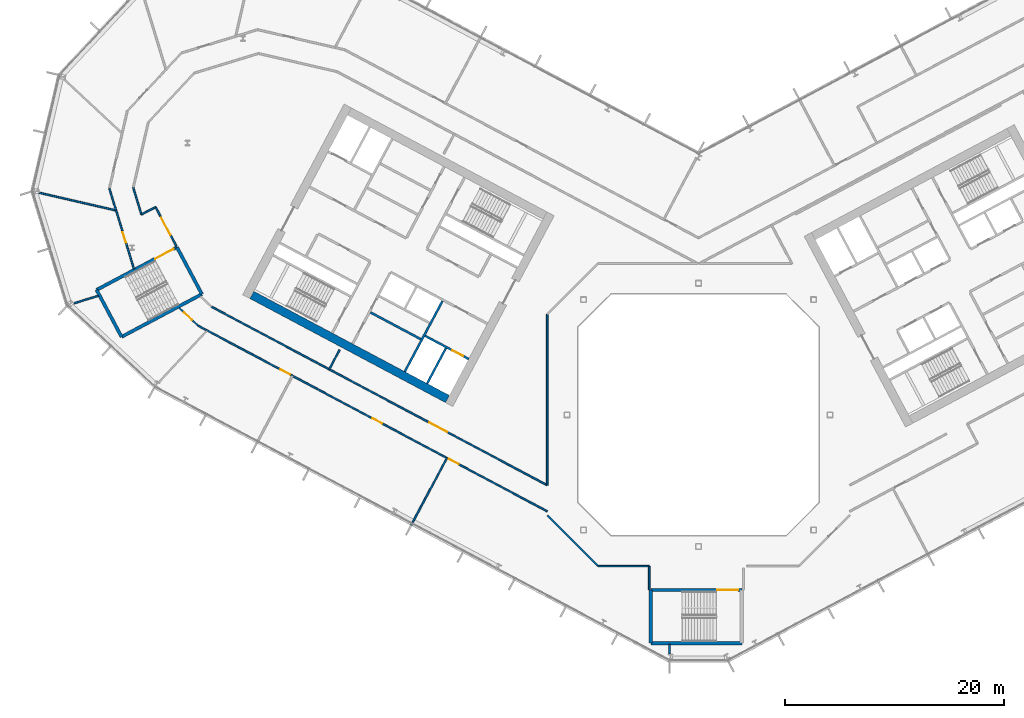
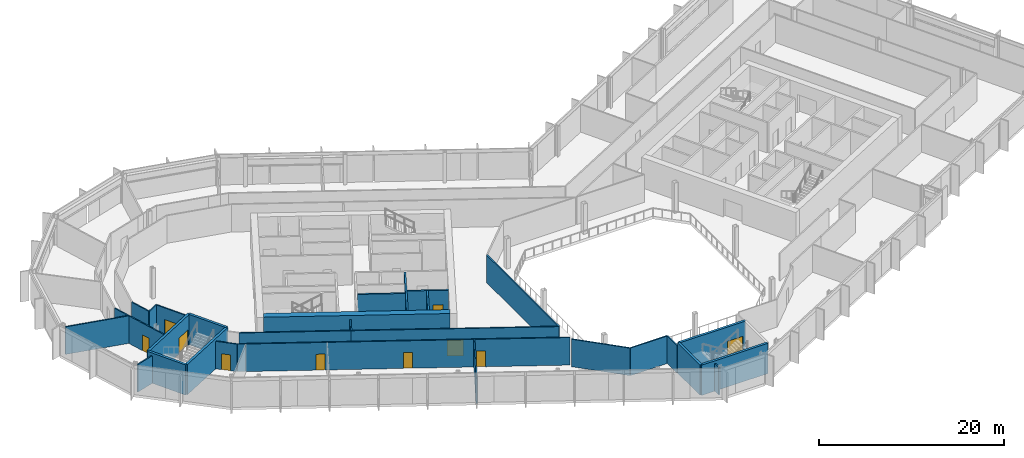
# One storey, part 13 of 28: 31 walls, 10 doors, 10 openings.
"""IFC4 building model written with IfcOpenShell, lengths in metres."""

from ifc_helpers import new_model, si_unit, direction, frame, frame_2d, origin, place, context, subcontext, project, spatial, rectangle, extrude, material, layer, layer_set, type_object, element, fill, save


model = new_model("IFC4")

# Units and contexts
model_context = context("Model", 3, precision=1e-05, world=origin(), true_north=direction((0.0, 1.0)))
body_context = subcontext(model_context, "Body", "Model", "MODEL_VIEW")
ifc_project = project(units=[si_unit("LENGTHUNIT", "METRE"), si_unit("AREAUNIT", "SQUARE_METRE"), si_unit("VOLUMEUNIT", "CUBIC_METRE"), si_unit("PLANEANGLEUNIT", "RADIAN"), si_unit("MASSUNIT", "GRAM", prefix="KILO")], contexts=[model_context])

# Site, building, storey
site_placement = place(None, origin())
site = spatial("IfcSite", under=ifc_project, at=site_placement, CompositionType="ELEMENT")
building_placement = place(site_placement, origin())
building = spatial("IfcBuilding", under=site, at=building_placement, Name="Cormorant Relay Tower", CompositionType="ELEMENT")
storey_placement = place(building_placement, frame((0.0, 0.0, 130.199951171875)))
storey = spatial("IfcBuildingStorey", under=building, at=storey_placement, Name="L26", CompositionType="ELEMENT", Elevation=130.199951171875)

# Walls
ifc_material_1 = material(Name="Concrete 40 MPa", Category="concrete")
ifc_layer_1 = layer(ifc_material_1, 0.199951171875)
ifc_layer_set_1 = layer_set([ifc_layer_1], Name="Core internal wall 200")
wall_type_1 = type_object("IfcWallType", Name="Core internal wall 200", PredefinedType="SOLIDWALL", material=ifc_layer_set_1)
wall_1_placement = place(storey_placement, frame((-25.326416015625, 6.8974609375, 0.0), z_axis=(0.0, 0.0, 1.0), x_axis=(-0.882953967957, 0.469459572775, 0.0)))
element("IfcWall", 1, at=wall_1_placement, inside=storey, type_object=wall_type_1, Name="L26 core A shaft and room wall", PredefinedType="SOLIDWALL", context=body_context, shape_type="SweptSolid", body=[
    extrude(rectangle(XDim=5.199951171875, YDim=0.199951171875, at=frame_2d((2.60009765625, 0.0))), origin(), (0.0, 0.0, 1.0), 4.0),
])
ifc_material_2 = material(Name="Concrete 50 MPa", Category="concrete")
ifc_layer_2 = layer(ifc_material_2, 0.199951171875)
ifc_layer_set_2 = layer_set([ifc_layer_2], Name="Core shaft wall 200")
wall_type_2 = type_object("IfcWallType", Name="Core shaft wall 200", PredefinedType="SHEAR", material=ifc_layer_set_2)
wall_2_placement = place(storey_placement, frame((-23.04296875, 6.07958984375, 0.0), z_axis=(0.0, 0.0, 1.0), x_axis=(-0.469494272526, -0.882935517501, 0.0)))
element("IfcWall", 2, at=wall_2_placement, inside=storey, type_object=wall_type_2, Name="L26 core A shaft wall", PredefinedType="SHEAR", context=body_context, shape_type="SweptSolid", body=[
    extrude(rectangle(XDim=3.64990234375, YDim=0.199951171875, at=frame_2d((1.824951171875, 0.0))), origin(), (0.0, 0.0, 1.0), 4.0),
])
wall_3_placement = place(storey_placement, frame((-23.360107421875, 10.38232421875, 0.0), z_axis=(0.0, 0.0, 1.0), x_axis=(-0.469480409012, -0.88294288918, 0.0)))
element("IfcWall", 3, at=wall_3_placement, inside=storey, type_object=wall_type_2, Name="L26 core A shaft wall", PredefinedType="SHEAR", context=body_context, shape_type="SweptSolid", body=[
    extrude(rectangle(XDim=7.300048828125, YDim=0.199951171875, at=frame_2d((3.64990234375, 0.0))), origin(), (0.0, 0.0, 1.0), 4.0),
])

# Wall, opening, door
wall_4_placement = place(storey_placement, frame((-20.96533203125, 5.088134765625, 0.0), z_axis=(0.0, 0.0, 1.0), x_axis=(-0.882925986334, 0.469512196493, 0.0)))
wall_4 = element("IfcWall", 4, at=wall_4_placement, inside=storey, type_object=wall_type_2, Name="L26 core A shaft wall", PredefinedType="SHEAR", context=body_context, shape_type="SweptSolid", body=[
    extrude(rectangle(XDim=4.5, YDim=0.199951171875, at=frame_2d((2.25, 0.0))), origin(), (0.0, 0.0, 1.0), 4.0),
])
opening_1_placement = place(wall_4_placement, frame((0.60009765625, 0.0, 0.0)))
opening_1 = element("IfcOpeningElement", 5, at=opening_1_placement, cuts=wall_4, Name="Opening LD1-043", PredefinedType="OPENING", context=body_context, shape_type="SweptSolid", body=[
    extrude(rectangle(XDim=1.10009765625, YDim=2.10009765625, at=frame_2d((0.550048828125, 1.050048828125))), frame((0.0, 0.10986328125, 0.0), z_axis=(0.0, -1.0, 0.0), x_axis=(1.0, 0.0, 0.0)), (0.0, 0.0, 1.0), 0.219970703125),
])
ifc_material_3 = material(Name="Stainless steel 316", Category="steel")
door_type_1 = type_object("IfcDoorType", Name="Lift landing door 1100x2100", OperationType="DOUBLE_DOOR_SLIDING", PredefinedType="DOOR", material=ifc_material_3)
door_1_placement = place(opening_1_placement, origin())
door_1 = element("IfcDoor", 6, at=door_1_placement, inside=storey, type_object=door_type_1, Name="FF1 landing door", OperationType="DOUBLE_DOOR_SLIDING", OverallHeight=2.10009765625, OverallWidth=1.10009765625, PredefinedType="DOOR", context=body_context, shape_type="SweptSolid", body=[
    extrude(rectangle(XDim=1.10009765625, YDim=2.10009765625, at=frame_2d((0.550048828125, 1.050048828125))), frame((0.0, 0.02490234375, 0.0), z_axis=(0.0, -1.0, 0.0), x_axis=(1.0, 0.0, 0.0)), (0.0, 0.0, 1.0), 0.050048828125),
])
fill(opening_1, door_1)

# Walls
ifc_material_4 = material(Name="Concrete 60 MPa", Category="concrete")
ifc_layer_3 = layer(ifc_material_4, 0.75)
ifc_layer_set_3 = layer_set([ifc_layer_3], Name="Core wall 750")
wall_type_3 = type_object("IfcWallType", Name="Core wall 750", PredefinedType="SHEAR", material=ifc_layer_set_3)
wall_5_placement = place(storey_placement, frame((-22.90185546875, 1.446044921875, 0.0), z_axis=(0.0, 0.0, 1.0), x_axis=(-0.88294509198, 0.469476266226, 0.0)))
element("IfcWall", 7, at=wall_5_placement, inside=storey, type_object=wall_type_3, Name="L26 core A wall", PredefinedType="SHEAR", context=body_context, shape_type="SweptSolid", body=[
    extrude(rectangle(XDim=20.199951171875, YDim=0.75, at=frame_2d((10.10009765625, 0.0))), origin(), (0.0, 0.0, 1.0), 4.0),
])
ifc_material_5 = material(Name="Gypsum board fire partition")
ifc_layer_4 = layer(ifc_material_5, 0.14990234375)
ifc_layer_set_4 = layer_set([ifc_layer_4], Name="Corridor partition 150 EI 60")
wall_type_4 = type_object("IfcWallType", Name="Corridor partition 150 EI 60", PredefinedType="PARTITIONING", material=ifc_layer_set_4)
wall_6_placement = place(storey_placement, frame((-53.736083984375, 20.636962890625, 0.0), z_axis=(0.0, 0.0, 1.0), x_axis=(0.292570604626, -0.956243923541, 0.0)))
element("IfcWall", 8, at=wall_6_placement, inside=storey, type_object=wall_type_4, Name="wall/L26/part/005", PredefinedType="PARTITIONING", context=body_context, shape_type="SweptSolid", body=[
    extrude(rectangle(XDim=2.06103515625, YDim=0.14990234375, at=frame_2d((1.030517578125, 0.0))), origin(), (0.0, 0.0, 1.0), 3.64013671875),
])

# Wall, opening, door
wall_7_placement = place(storey_placement, frame((-51.498046875, 13.318115234375, 0.0), z_axis=(0.0, 0.0, 1.0), x_axis=(-0.292370483919, 0.956305129199, 0.0)))
wall_7 = element("IfcWall", 9, at=wall_7_placement, inside=storey, type_object=wall_type_4, Name="wall/L26/part/006", PredefinedType="PARTITIONING", context=body_context, shape_type="SweptSolid", body=[
    extrude(rectangle(XDim=5.59228515625, YDim=0.14990234375, at=frame_2d((2.796142578125, 0.0))), origin(), (0.0, 0.0, 1.0), 3.64013671875),
])
opening_2_placement = place(wall_7_placement, frame((2.5, 0.0, 0.0)))
opening_2 = element("IfcOpeningElement", 10, at=opening_2_placement, cuts=wall_7, Name="Opening DS-029", PredefinedType="OPENING", context=body_context, shape_type="SweptSolid", body=[
    extrude(rectangle(XDim=1.0, YDim=2.10009765625, at=frame_2d((0.5, 1.050048828125))), frame((0.0, 0.0849609375, 0.0), z_axis=(0.0, -1.0, 0.0), x_axis=(1.0, 0.0, 0.0)), (0.0, 0.0, 1.0), 0.169921875),
])
ifc_material_6 = material(Name="Timber door leaf", Category="wood")
door_type_2 = type_object("IfcDoorType", Name="Suite door 1000x2100", OperationType="SINGLE_SWING_LEFT", PredefinedType="DOOR", material=ifc_material_6)
door_2_placement = place(opening_2_placement, origin())
door_2 = element("IfcDoor", 11, at=door_2_placement, inside=storey, type_object=door_type_2, Name="door/L26/016", OperationType="SINGLE_SWING_LEFT", OverallHeight=2.10009765625, OverallWidth=1.0, PredefinedType="DOOR", context=body_context, shape_type="SweptSolid", body=[
    extrude(rectangle(XDim=1.0, YDim=2.10009765625, at=frame_2d((0.5, 1.050048828125))), frame((0.0, 0.02490234375, 0.0), z_axis=(0.0, -1.0, 0.0), x_axis=(1.0, 0.0, 0.0)), (0.0, 0.0, 1.0), 0.050048828125),
])
fill(opening_2, door_2)

wall_8_placement = place(storey_placement, frame((-47.62109375, 15.3779296875, 0.0), z_axis=(0.0, 0.0, 1.0), x_axis=(-0.469542997944, 0.882909606404, 0.0)))
wall_8 = element("IfcWall", 12, at=wall_8_placement, inside=storey, type_object=wall_type_4, Name="wall/L26/part/016", PredefinedType="PARTITIONING", context=body_context, shape_type="SweptSolid", body=[
    extrude(rectangle(XDim=4.050537109375, YDim=0.14990234375, at=frame_2d((2.025390625, 0.0))), origin(), (0.0, 0.0, 1.0), 3.64013671875),
])
opening_3_placement = place(wall_8_placement, frame((1.14990234375, 0.0, 0.0)))
opening_3 = element("IfcOpeningElement", 13, at=opening_3_placement, cuts=wall_8, Name="Opening DD-005", PredefinedType="OPENING", context=body_context, shape_type="SweptSolid", body=[
    extrude(rectangle(XDim=1.800048828125, YDim=2.10009765625, at=frame_2d((0.89990234375, 1.050048828125))), frame((0.0, 0.0849609375, 0.0), z_axis=(0.0, -1.0, 0.0), x_axis=(1.0, 0.0, 0.0)), (0.0, 0.0, 1.0), 0.169921875),
])
ifc_material_7 = material(Name="Timber door leaf", Category="wood")
door_type_3 = type_object("IfcDoorType", Name="Suite double door 1800x2100", OperationType="DOUBLE_DOOR_SINGLE_SWING", PredefinedType="DOOR", material=ifc_material_7)
door_3_placement = place(opening_3_placement, frame((1.800048828125, 0.0, 0.0), z_axis=(0.0, 0.0, 1.0), x_axis=(-1.0, 0.0, 0.0)))
door_3 = element("IfcDoor", 14, at=door_3_placement, inside=storey, type_object=door_type_3, Name="door/L26/001", OperationType="DOUBLE_DOOR_SINGLE_SWING", OverallHeight=2.10009765625, OverallWidth=1.800048828125, PredefinedType="DOOR", context=body_context, shape_type="SweptSolid", body=[
    extrude(rectangle(XDim=1.800048828125, YDim=2.10009765625, at=frame_2d((0.89990234375, 1.050048828125))), frame((0.0, 0.02490234375, 0.0), z_axis=(0.0, -1.0, 0.0), x_axis=(1.0, 0.0, 0.0)), (0.0, 0.0, 1.0), 0.050048828125),
])
fill(opening_3, door_3)

# Walls
wall_9_placement = place(storey_placement, frame((-49.52294921875, 18.9541015625, 0.0), z_axis=(0.0, 0.0, 1.0), x_axis=(-0.882657481443, -0.470016776778, 0.0)))
element("IfcWall", 15, at=wall_9_placement, inside=storey, type_object=wall_type_4, Name="wall/L26/part/017", PredefinedType="PARTITIONING", context=body_context, shape_type="SweptSolid", body=[
    extrude(rectangle(XDim=1.4638671875, YDim=0.14990234375, at=frame_2d((0.73193359375, 0.0))), origin(), (0.0, 0.0, 1.0), 3.64013671875),
])
wall_10_placement = place(storey_placement, frame((-50.81494140625, 18.26611328125, 0.0), z_axis=(0.0, 0.0, 1.0), x_axis=(-0.292368834646, 0.956305633429, 0.0)))
element("IfcWall", 16, at=wall_10_placement, inside=storey, type_object=wall_type_4, Name="wall/L26/part/018", PredefinedType="PARTITIONING", context=body_context, shape_type="SweptSolid", body=[
    extrude(rectangle(XDim=2.55859375, YDim=0.14990234375, at=frame_2d((1.279296875, 0.0))), origin(), (0.0, 0.0, 1.0), 3.64013671875),
])
wall_11_placement = place(storey_placement, frame((-44.8798828125, 7.72412109375, 0.0), z_axis=(0.0, 0.0, 1.0), x_axis=(-0.883060479617, 0.469259192067, 0.0)))
element("IfcWall", 17, at=wall_11_placement, inside=storey, type_object=wall_type_4, Name="wall/L26/part/024", PredefinedType="PARTITIONING", context=body_context, shape_type="SweptSolid", body=[
    extrude(rectangle(XDim=0.8583984375, YDim=0.14990234375, at=frame_2d((0.42919921875, 0.0))), origin(), (0.0, 0.0, 1.0), 3.64013671875),
])

# Wall, opening, door
wall_12_placement = place(storey_placement, frame((-45.637939453125, 8.126953125, 0.0), z_axis=(0.0, 0.0, 1.0), x_axis=(-0.731136071802, 0.682231664839, 0.0)))
wall_12 = element("IfcWall", 18, at=wall_12_placement, inside=storey, type_object=wall_type_4, Name="wall/L26/part/025", PredefinedType="PARTITIONING", context=body_context, shape_type="SweptSolid", body=[
    extrude(rectangle(XDim=2.4111328125, YDim=0.14990234375, at=frame_2d((1.20556640625, 0.0))), origin(), (0.0, 0.0, 1.0), 3.64013671875),
])
opening_4_placement = place(wall_12_placement, frame((0.75, 0.0, 0.0)))
opening_4 = element("IfcOpeningElement", 19, at=opening_4_placement, cuts=wall_12, Name="Opening DS-030", PredefinedType="OPENING", context=body_context, shape_type="SweptSolid", body=[
    extrude(rectangle(XDim=1.0, YDim=2.10009765625, at=frame_2d((0.5, 1.050048828125))), frame((0.0, 0.0849609375, 0.0), z_axis=(0.0, -1.0, 0.0), x_axis=(1.0, 0.0, 0.0)), (0.0, 0.0, 1.0), 0.169921875),
])
door_4_placement = place(opening_4_placement, origin())
door_4 = element("IfcDoor", 20, at=door_4_placement, inside=storey, type_object=door_type_2, Name="door/L26/017", OperationType="SINGLE_SWING_RIGHT", OverallHeight=2.10009765625, OverallWidth=1.0, PredefinedType="DOOR", context=body_context, shape_type="SweptSolid", body=[
    extrude(rectangle(XDim=1.0, YDim=2.10009765625, at=frame_2d((0.5, 1.050048828125))), frame((0.0, 0.02490234375, 0.0), z_axis=(0.0, -1.0, 0.0), x_axis=(1.0, 0.0, 0.0)), (0.0, 0.0, 1.0), 0.050048828125),
])
fill(opening_4, door_4)

# Wall, openings, doors
wall_13_placement = place(storey_placement, frame((-13.802001953125, -8.800048828125, 0.0), z_axis=(0.0, 0.0, 1.0), x_axis=(-0.882950330338, 0.4694664143, 0.0)))
wall_13 = element("IfcWall", 21, at=wall_13_placement, inside=storey, type_object=wall_type_4, Name="wall/L26/part/027", PredefinedType="PARTITIONING", context=body_context, shape_type="SweptSolid", body=[
    extrude(rectangle(XDim=35.19775390625, YDim=0.14990234375, at=frame_2d((17.598876953125, 0.0))), origin(), (0.0, 0.0, 1.0), 3.64013671875),
])
opening_5_placement = place(wall_13_placement, frame((26.550048828125, 0.0, 0.0)))
opening_5 = element("IfcOpeningElement", 22, at=opening_5_placement, cuts=wall_13, Name="Opening DS-031", PredefinedType="OPENING", context=body_context, shape_type="SweptSolid", body=[
    extrude(rectangle(XDim=1.0, YDim=2.10009765625, at=frame_2d((0.5, 1.050048828125))), frame((0.0, 0.0849609375, 0.0), z_axis=(0.0, -1.0, 0.0), x_axis=(1.0, 0.0, 0.0)), (0.0, 0.0, 1.0), 0.169921875),
])
opening_6_placement = place(wall_13_placement, frame((17.050048828125, 0.0, 0.0)))
opening_6 = element("IfcOpeningElement", 23, at=opening_6_placement, cuts=wall_13, Name="Opening DS-032", PredefinedType="OPENING", context=body_context, shape_type="SweptSolid", body=[
    extrude(rectangle(XDim=1.0, YDim=2.10009765625, at=frame_2d((0.5, 1.050048828125))), frame((0.0, 0.0849609375, 0.0), z_axis=(0.0, -1.0, 0.0), x_axis=(1.0, 0.0, 0.0)), (0.0, 0.0, 1.0), 0.169921875),
])
opening_7_placement = place(wall_13_placement, frame((9.14892578125, 0.0, 0.0)))
opening_7 = element("IfcOpeningElement", 24, at=opening_7_placement, cuts=wall_13, Name="Opening DS-033", PredefinedType="OPENING", context=body_context, shape_type="SweptSolid", body=[
    extrude(rectangle(XDim=1.0, YDim=2.10009765625, at=frame_2d((0.5, 1.050048828125))), frame((0.0, 0.0849609375, 0.0), z_axis=(0.0, -1.0, 0.0), x_axis=(1.0, 0.0, 0.0)), (0.0, 0.0, 1.0), 0.169921875),
])
door_5_placement = place(opening_5_placement, origin())
door_5 = element("IfcDoor", 25, at=door_5_placement, inside=storey, type_object=door_type_2, Name="door/L26/018", OperationType="SINGLE_SWING_LEFT", OverallHeight=2.10009765625, OverallWidth=1.0, PredefinedType="DOOR", context=body_context, shape_type="SweptSolid", body=[
    extrude(rectangle(XDim=1.0, YDim=2.10009765625, at=frame_2d((0.5, 1.050048828125))), frame((0.0, 0.02490234375, 0.0), z_axis=(0.0, -1.0, 0.0), x_axis=(1.0, 0.0, 0.0)), (0.0, 0.0, 1.0), 0.050048828125),
])
fill(opening_5, door_5)
door_6_placement = place(opening_6_placement, origin())
door_6 = element("IfcDoor", 26, at=door_6_placement, inside=storey, type_object=door_type_2, Name="door/L26/019", OperationType="SINGLE_SWING_LEFT", OverallHeight=2.10009765625, OverallWidth=1.0, PredefinedType="DOOR", context=body_context, shape_type="SweptSolid", body=[
    extrude(rectangle(XDim=1.0, YDim=2.10009765625, at=frame_2d((0.5, 1.050048828125))), frame((0.0, 0.02490234375, 0.0), z_axis=(0.0, -1.0, 0.0), x_axis=(1.0, 0.0, 0.0)), (0.0, 0.0, 1.0), 0.050048828125),
])
fill(opening_6, door_6)
door_7_placement = place(opening_7_placement, origin())
door_7 = element("IfcDoor", 27, at=door_7_placement, inside=storey, type_object=door_type_2, Name="door/L26/020", OperationType="SINGLE_SWING_RIGHT", OverallHeight=2.10009765625, OverallWidth=1.0, PredefinedType="DOOR", context=body_context, shape_type="SweptSolid", body=[
    extrude(rectangle(XDim=1.0, YDim=2.10009765625, at=frame_2d((0.5, 1.050048828125))), frame((0.0, 0.02490234375, 0.0), z_axis=(0.0, -1.0, 0.0), x_axis=(1.0, 0.0, 0.0)), (0.0, 0.0, 1.0), 0.050048828125),
])
fill(opening_7, door_7)

# Wall
wall_14_placement = place(storey_placement, frame((-33.68505859375, 4.14990234375, 0.0), z_axis=(0.0, 0.0, 1.0), x_axis=(-0.882957675396, 0.469452599801, 0.0)))
element("IfcWall", 28, at=wall_14_placement, inside=storey, type_object=wall_type_4, Name="wall/L26/part/028", PredefinedType="PARTITIONING", context=body_context, shape_type="SweptSolid", body=[
    extrude(rectangle(XDim=12.144287109375, YDim=0.14990234375, at=frame_2d((6.072265625, 0.0))), origin(), (0.0, 0.0, 1.0), 3.64013671875),
])

# Wall, opening, door
wall_15_placement = place(storey_placement, frame((-13.800048828125, -6.423095703125, 0.0), z_axis=(0.0, 0.0, 1.0), x_axis=(-0.882948498314, 0.469469859869, 0.0)))
wall_15 = element("IfcWall", 29, at=wall_15_placement, inside=storey, type_object=wall_type_4, Name="wall/L26/part/036", PredefinedType="PARTITIONING", context=body_context, shape_type="SweptSolid", body=[
    extrude(rectangle(XDim=22.521240234375, YDim=0.14990234375, at=frame_2d((11.2607421875, 0.0))), origin(), (0.0, 0.0, 1.0), 3.64013671875),
])
opening_8_placement = place(wall_15_placement, frame((10.35009765625, 0.0, 0.0)))
opening_8 = element("IfcOpeningElement", 30, at=opening_8_placement, cuts=wall_15, Name="Opening DD-006", PredefinedType="OPENING", context=body_context, shape_type="SweptSolid", body=[
    extrude(rectangle(XDim=1.800048828125, YDim=2.10009765625, at=frame_2d((0.89990234375, 1.050048828125))), frame((0.0, 0.0849609375, 0.0), z_axis=(0.0, -1.0, 0.0), x_axis=(1.0, 0.0, 0.0)), (0.0, 0.0, 1.0), 0.169921875),
])
door_8_placement = place(opening_8_placement, frame((1.800048828125, 0.0, 0.0), z_axis=(0.0, 0.0, 1.0), x_axis=(-1.0, 0.0, 0.0)))
door_8 = element("IfcDoor", 31, at=door_8_placement, inside=storey, type_object=door_type_3, Name="door/L26/002", OperationType="DOUBLE_DOOR_SINGLE_SWING", OverallHeight=2.10009765625, OverallWidth=1.800048828125, PredefinedType="DOOR", context=body_context, shape_type="SweptSolid", body=[
    extrude(rectangle(XDim=1.800048828125, YDim=2.10009765625, at=frame_2d((0.89990234375, 1.050048828125))), frame((0.0, 0.02490234375, 0.0), z_axis=(0.0, -1.0, 0.0), x_axis=(1.0, 0.0, 0.0)), (0.0, 0.0, 1.0), 0.050048828125),
])
fill(opening_8, door_8)

# Walls
wall_16_placement = place(storey_placement, frame((-13.800048828125, 9.159912109375, 0.0), z_axis=(0.0, 0.0, 1.0), x_axis=(0.0, -1.0, 0.0)))
element("IfcWall", 32, at=wall_16_placement, inside=storey, type_object=wall_type_4, Name="wall/L26/part/047", PredefinedType="PARTITIONING", context=body_context, shape_type="SweptSolid", body=[
    extrude(rectangle(XDim=15.5830078125, YDim=0.14990234375, at=frame_2d((7.79150390625, 0.0))), origin(), (0.0, 0.0, 1.0), 3.64013671875),
])
wall_17_placement = place(storey_placement, frame((-4.493896484375, -13.800048828125, 0.0), z_axis=(0.0, 0.0, 1.0), x_axis=(-1.0, 0.0, 0.0)))
element("IfcWall", 33, at=wall_17_placement, inside=storey, type_object=wall_type_4, Name="wall/L26/part/048", PredefinedType="PARTITIONING", context=body_context, shape_type="SweptSolid", body=[
    extrude(rectangle(XDim=4.666015625, YDim=0.14990234375, at=frame_2d((2.3330078125, 0.0))), origin(), (0.0, 0.0, 1.0), 3.64013671875),
])
wall_18_placement = place(storey_placement, frame((-9.159912109375, -13.800048828125, 0.0), z_axis=(0.0, 0.0, 1.0), x_axis=(-0.707106781187, 0.707106781187, 0.0)))
element("IfcWall", 34, at=wall_18_placement, inside=storey, type_object=wall_type_4, Name="wall/L26/part/049", PredefinedType="PARTITIONING", context=body_context, shape_type="SweptSolid", body=[
    extrude(rectangle(XDim=6.562255859375, YDim=0.14990234375, at=frame_2d((3.28125, 0.0))), origin(), (0.0, 0.0, 1.0), 3.64013671875),
])
wall_19_placement = place(storey_placement, frame((-4.5, -15.97509765625, 0.0), z_axis=(0.0, 0.0, 1.0), x_axis=(0.0, 1.0, 0.0)))
element("IfcWall", 35, at=wall_19_placement, inside=storey, type_object=wall_type_4, Name="wall/L26/part/050", PredefinedType="PARTITIONING", context=body_context, shape_type="SweptSolid", body=[
    extrude(rectangle(XDim=2.150146484375, YDim=0.14990234375, at=frame_2d((1.0751953125, 0.0))), origin(), (0.0, 0.0, 1.0), 3.64013671875),
])
ifc_material_8 = material(Name="Concrete 50 MPa", Category="concrete")
ifc_layer_5 = layer(ifc_material_8, 0.300048828125)
ifc_layer_set_5 = layer_set([ifc_layer_5], Name="Remote stair wall 300")
wall_type_5 = type_object("IfcWallType", Name="Remote stair wall 300", PredefinedType="SHEAR", material=ifc_layer_set_5)
wall_20_placement = place(storey_placement, frame((3.949951171875, -20.824951171875, 0.0), z_axis=(0.0, 0.0, 1.0), x_axis=(-1.0, 0.0, 0.0)))
element("IfcWall", 36, at=wall_20_placement, inside=storey, type_object=wall_type_5, Name="L26 exit stair RK1 wall", PredefinedType="SHEAR", context=body_context, shape_type="SweptSolid", body=[
    extrude(rectangle(XDim=8.300048828125, YDim=0.300048828125, at=frame_2d((4.14990234375, 0.0))), origin(), (0.0, 0.0, 1.0), 4.0),
])
wall_21_placement = place(storey_placement, frame((-4.35009765625, -20.824951171875, 0.0), z_axis=(0.0, 0.0, 1.0), x_axis=(0.0, 1.0, 0.0)))
element("IfcWall", 37, at=wall_21_placement, inside=storey, type_object=wall_type_5, Name="L26 exit stair RK1 wall", PredefinedType="SHEAR", context=body_context, shape_type="SweptSolid", body=[
    extrude(rectangle(XDim=4.849853515625, YDim=0.300048828125, at=frame_2d((2.4248046875, 0.0))), origin(), (0.0, 0.0, 1.0), 4.0),
])

# Wall, opening, door
wall_22_placement = place(storey_placement, frame((-4.35009765625, -15.97509765625, 0.0), z_axis=(0.0, 0.0, 1.0), x_axis=(1.0, 0.0, 0.0)))
wall_22 = element("IfcWall", 38, at=wall_22_placement, inside=storey, type_object=wall_type_5, Name="L26 exit stair RK1 wall", PredefinedType="SHEAR", context=body_context, shape_type="SweptSolid", body=[
    extrude(rectangle(XDim=8.300048828125, YDim=0.300048828125, at=frame_2d((4.14990234375, 0.0))), origin(), (0.0, 0.0, 1.0), 4.0),
])
opening_9_placement = place(wall_22_placement, frame((6.050048828125, 0.0, 0.0)))
opening_9 = element("IfcOpeningElement", 39, at=opening_9_placement, cuts=wall_22, Name="Opening CDE-012", PredefinedType="OPENING", context=body_context, shape_type="SweptSolid", body=[
    extrude(rectangle(XDim=1.89990234375, YDim=2.10009765625, at=frame_2d((0.949951171875, 1.050048828125))), frame((0.0, 0.159912109375, 0.0), z_axis=(0.0, -1.0, 0.0), x_axis=(1.0, 0.0, 0.0)), (0.0, 0.0, 1.0), 0.320068359375),
])
ifc_material_9 = material(Name="Steel fire door", Category="steel")
door_type_4 = type_object("IfcDoorType", Name="Remote stair door 1900x2100", OperationType="DOUBLE_DOOR_SINGLE_SWING", PredefinedType="DOOR", material=ifc_material_9)
door_9_placement = place(opening_9_placement, frame((1.89990234375, 0.0, 0.0), z_axis=(0.0, 0.0, 1.0), x_axis=(-1.0, 0.0, 0.0)))
door_9 = element("IfcDoor", 40, at=door_9_placement, inside=storey, type_object=door_type_4, Name="Exit stair RK1 door", OperationType="DOUBLE_DOOR_SINGLE_SWING", OverallHeight=2.10009765625, OverallWidth=1.89990234375, PredefinedType="DOOR", context=body_context, shape_type="SweptSolid", body=[
    extrude(rectangle(XDim=1.89990234375, YDim=2.10009765625, at=frame_2d((0.949951171875, 1.050048828125))), frame((0.0, 0.02490234375, 0.0), z_axis=(0.0, -1.0, 0.0), x_axis=(1.0, 0.0, 0.0)), (0.0, 0.0, 1.0), 0.050048828125),
])
fill(opening_9, door_9)

# Walls
wall_23_placement = place(storey_placement, frame((-47.57421875, 15.28955078125, 0.0), z_axis=(0.0, 0.0, 1.0), x_axis=(0.469443498566, -0.882962514297, 0.0)))
element("IfcWall", 41, at=wall_23_placement, inside=storey, type_object=wall_type_5, Name="L26 exit stair RP1 wall", PredefinedType="SHEAR", context=body_context, shape_type="SweptSolid", body=[
    extrude(rectangle(XDim=4.85009765625, YDim=0.300048828125, at=frame_2d((2.425048828125, 0.0))), origin(), (0.0, 0.0, 1.0), 4.0),
])
wall_24_placement = place(storey_placement, frame((-45.29736328125, 11.007080078125, 0.0), z_axis=(0.0, 0.0, 1.0), x_axis=(-0.882951519127, -0.469464178475, 0.0)))
element("IfcWall", 42, at=wall_24_placement, inside=storey, type_object=wall_type_5, Name="L26 exit stair RP1 wall", PredefinedType="SHEAR", context=body_context, shape_type="SweptSolid", body=[
    extrude(rectangle(XDim=8.2998046875, YDim=0.300048828125, at=frame_2d((4.14990234375, 0.0))), origin(), (0.0, 0.0, 1.0), 4.0),
])
wall_25_placement = place(storey_placement, frame((-52.625732421875, 7.110595703125, 0.0), z_axis=(0.0, 0.0, 1.0), x_axis=(-0.469464364128, 0.882951420416, 0.0)))
element("IfcWall", 43, at=wall_25_placement, inside=storey, type_object=wall_type_5, Name="L26 exit stair RP1 wall", PredefinedType="SHEAR", context=body_context, shape_type="SweptSolid", body=[
    extrude(rectangle(XDim=4.849853515625, YDim=0.300048828125, at=frame_2d((2.4248046875, 0.0))), origin(), (0.0, 0.0, 1.0), 4.0),
])

# Wall, opening, door
wall_26_placement = place(storey_placement, frame((-54.902587890625, 11.392822265625, 0.0), z_axis=(0.0, 0.0, 1.0), x_axis=(0.882939326045, 0.469487110071, 0.0)))
wall_26 = element("IfcWall", 44, at=wall_26_placement, inside=storey, type_object=wall_type_5, Name="L26 exit stair RP1 wall", PredefinedType="SHEAR", context=body_context, shape_type="SweptSolid", body=[
    extrude(rectangle(XDim=8.300048828125, YDim=0.300048828125, at=frame_2d((4.14990234375, 0.0))), origin(), (0.0, 0.0, 1.0), 4.0),
])
opening_10_placement = place(wall_26_placement, frame((6.050048828125, 0.0, 0.0)))
opening_10 = element("IfcOpeningElement", 45, at=opening_10_placement, cuts=wall_26, Name="Opening CDE-013", PredefinedType="OPENING", context=body_context, shape_type="SweptSolid", body=[
    extrude(rectangle(XDim=1.89990234375, YDim=2.10009765625, at=frame_2d((0.949951171875, 1.050048828125))), frame((0.0, 0.159912109375, 0.0), z_axis=(0.0, -1.0, 0.0), x_axis=(1.0, 0.0, 0.0)), (0.0, 0.0, 1.0), 0.320068359375),
])
door_10_placement = place(opening_10_placement, frame((1.89990234375, 0.0, 0.0), z_axis=(0.0, 0.0, 1.0), x_axis=(-1.0, 0.0, 0.0)))
door_10 = element("IfcDoor", 46, at=door_10_placement, inside=storey, type_object=door_type_4, Name="Exit stair RP1 door", OperationType="DOUBLE_DOOR_SINGLE_SWING", OverallHeight=2.10009765625, OverallWidth=1.89990234375, PredefinedType="DOOR", context=body_context, shape_type="SweptSolid", body=[
    extrude(rectangle(XDim=1.89990234375, YDim=2.10009765625, at=frame_2d((0.949951171875, 1.050048828125))), frame((0.0, 0.02490234375, 0.0), z_axis=(0.0, -1.0, 0.0), x_axis=(1.0, 0.0, 0.0)), (0.0, 0.0, 1.0), 0.050048828125),
])
fill(opening_10, door_10)

# Walls
ifc_material_10 = material(Name="Gypsum board partition")
ifc_layer_6 = layer(ifc_material_10, 0.14990234375)
ifc_layer_set_6 = layer_set([ifc_layer_6], Name="Tenant partition 150")
wall_type_6 = type_object("IfcWallType", Name="Tenant partition 150", PredefinedType="PARTITIONING", material=ifc_layer_set_6)
wall_27_placement = place(storey_placement, frame((-53.125, 18.639892578125, 0.0), z_axis=(0.0, 0.0, 1.0), x_axis=(-0.974351745411, 0.225030389536, 0.0)))
element("IfcWall", 47, at=wall_27_placement, inside=storey, type_object=wall_type_6, Name="wall/L26/part/001", PredefinedType="PARTITIONING", context=body_context, shape_type="SweptSolid", body=[
    extrude(rectangle(XDim=7.199462890625, YDim=0.14990234375, at=frame_2d((3.599609375, 0.0))), origin(), (0.0, 0.0, 1.0), 3.64013671875),
])
wall_28_placement = place(storey_placement, frame((-54.73193359375, 10.85693359375, 0.0), z_axis=(0.0, 0.0, 1.0), x_axis=(-0.956196980242, -0.292723991119, 0.0)))
element("IfcWall", 48, at=wall_28_placement, inside=storey, type_object=wall_type_6, Name="wall/L26/part/003", PredefinedType="PARTITIONING", context=body_context, shape_type="SweptSolid", body=[
    extrude(rectangle(XDim=2.343505859375, YDim=0.14990234375, at=frame_2d((1.171875, 0.0))), origin(), (0.0, 0.0, 1.0), 3.64013671875),
])
wall_29_placement = place(storey_placement, frame((-22.950927734375, -3.93603515625, 0.0), z_axis=(0.0, 0.0, 1.0), x_axis=(-0.469541311651, -0.882910503196, 0.0)))
element("IfcWall", 49, at=wall_29_placement, inside=storey, type_object=wall_type_6, Name="wall/L26/part/033", PredefinedType="PARTITIONING", context=body_context, shape_type="SweptSolid", body=[
    extrude(rectangle(XDim=6.94970703125, YDim=0.14990234375, at=frame_2d((3.474853515625, 0.0))), origin(), (0.0, 0.0, 1.0), 3.64013671875),
])
wall_30_placement = place(storey_placement, frame((-32.73193359375, 5.943115234375, 0.0), z_axis=(0.0, 0.0, 1.0), x_axis=(-0.469339803677, -0.88301763781, 0.0)))
element("IfcWall", 50, at=wall_30_placement, inside=storey, type_object=wall_type_6, Name="wall/L26/part/037", PredefinedType="PARTITIONING", context=body_context, shape_type="SweptSolid", body=[
    extrude(rectangle(XDim=2.03076171875, YDim=0.14990234375, at=frame_2d((1.015380859375, 0.0))), origin(), (0.0, 0.0, 1.0), 3.64013671875),
])
wall_31_placement = place(storey_placement, frame((-2.64892578125, -20.925048828125, 0.0), z_axis=(0.0, 0.0, 1.0), x_axis=(0.0, -1.0, 0.0)))
element("IfcWall", 51, at=wall_31_placement, inside=storey, type_object=wall_type_6, Name="wall/L26/part/051", PredefinedType="PARTITIONING", context=body_context, shape_type="SweptSolid", body=[
    extrude(rectangle(XDim=0.90283203125, YDim=0.14990234375, at=frame_2d((0.451416015625, 0.0))), origin(), (0.0, 0.0, 1.0), 3.64013671875),
])

save(model, "model.ifc")
